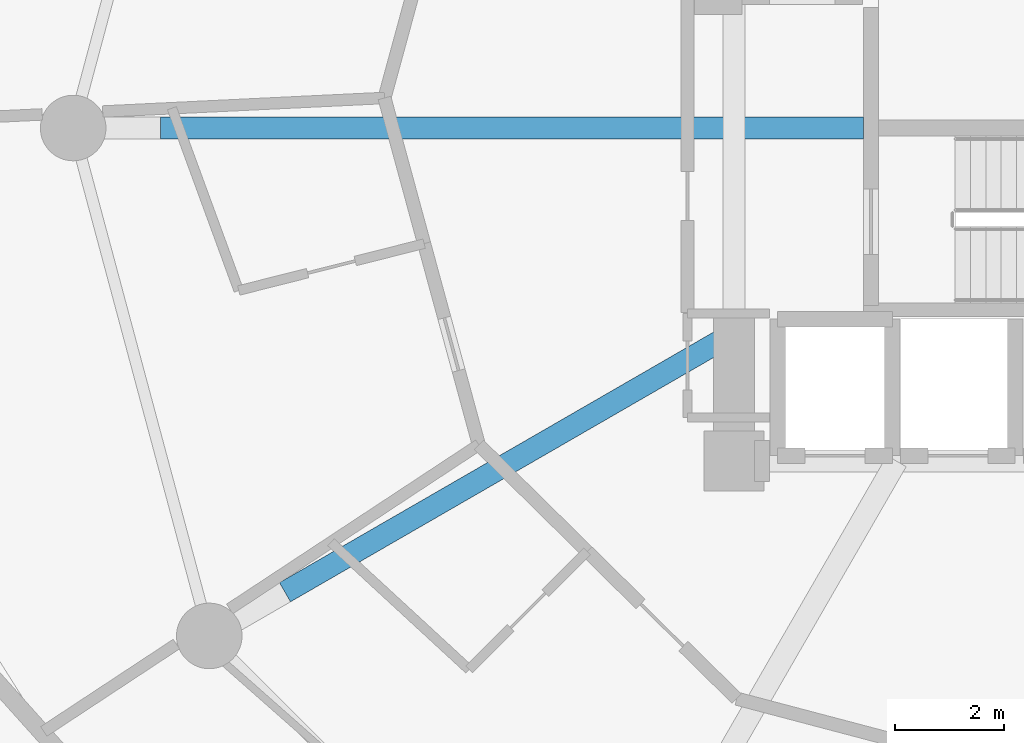
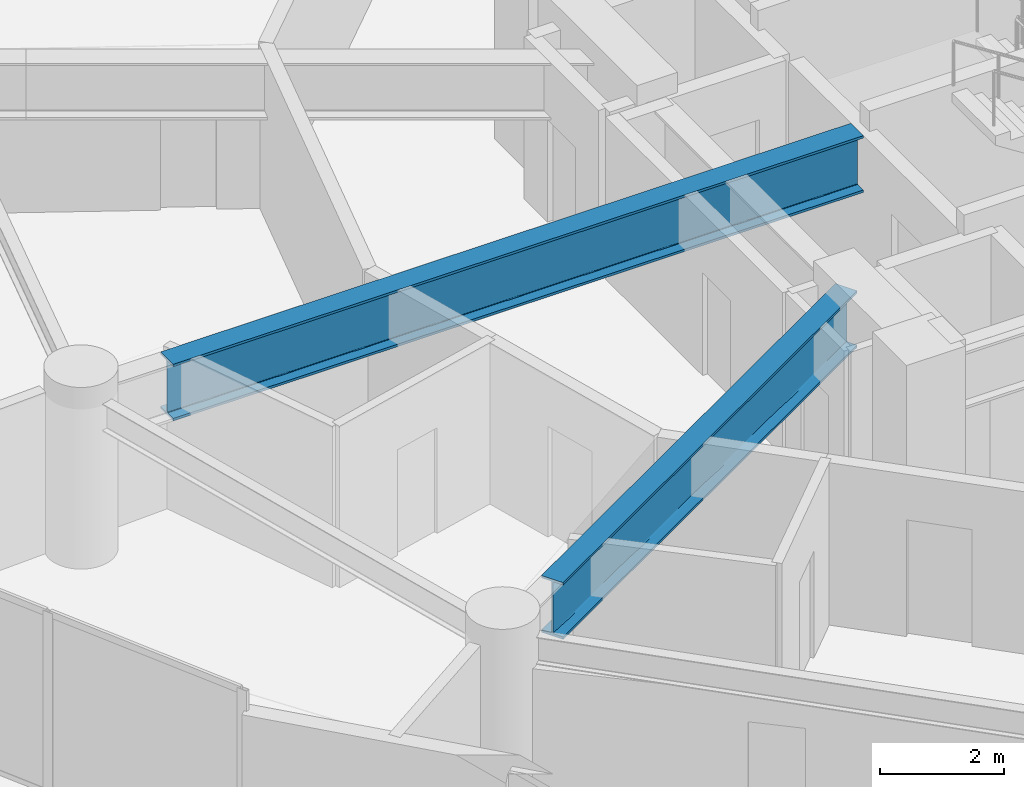
# One storey, part 5 of 24: 2 beams.
"""IFC4 building model written with IfcOpenShell, lengths in metres."""

from ifc_helpers import new_model, si_unit, direction, frame, origin, origin_2d, place, context, subcontext, project, spatial, i_section, extrude, material, material_profile, profile_set, type_object, element, save


model = new_model("IFC4")

# Units and contexts
model_context = context("Model", 3, precision=1e-05, world=origin(), true_north=direction((0.0, 1.0)))
body_context = subcontext(model_context, "Body", "Model", "MODEL_VIEW")
ifc_project = project(units=[si_unit("LENGTHUNIT", "METRE"), si_unit("AREAUNIT", "SQUARE_METRE"), si_unit("VOLUMEUNIT", "CUBIC_METRE"), si_unit("PLANEANGLEUNIT", "RADIAN"), si_unit("MASSUNIT", "GRAM", prefix="KILO")], contexts=[model_context])

# Site, building, storey
site_placement = place(None, origin())
site = spatial("IfcSite", under=ifc_project, at=site_placement, CompositionType="ELEMENT")
building_placement = place(site_placement, origin())
building = spatial("IfcBuilding", under=site, at=building_placement, Name="Solvirekh Grand Hotel", CompositionType="ELEMENT")
storey_placement = place(building_placement, frame((0.0, 0.0, 89.60009765625)))
storey = spatial("IfcBuildingStorey", under=building, at=storey_placement, Name="L22", CompositionType="ELEMENT", Elevation=89.60009765625)

# Beams
ifc_material = material(Name="Steel S460", Category="steel")
ifc_material_profile = material_profile(ifc_material, i_section(OverallWidth=0.405029296875, OverallDepth=1.117919921875, WebThickness=0.02587890625, FlangeThickness=0.048095703125, FilletRadius=0.02392578125, at=origin_2d()), Name="W1100X499")
ifc_profile_set = profile_set([ifc_material_profile], Name="Steel S460")
beam_type = type_object("IfcBeamType", Name="TransferGirder_W1100", PredefinedType="USERDEFINED", material=ifc_profile_set)
beam_1_placement = place(storey_placement, frame((-4.1298828125, 0.0, 2.640869140625), z_axis=(-1.0, 0.0, 0.0), x_axis=(0.0, -1.0, 0.0)))
element("IfcBeam", 1, at=beam_1_placement, inside=storey, type_object=beam_type, Name="L22 inner radial transfer girder 7A", ObjectType="TRANSFER GIRDER", PredefinedType="USERDEFINED", context=body_context, shape_type="SweptSolid", body=[
    extrude(i_section(OverallWidth=0.405029296875, OverallDepth=1.117919921875, WebThickness=0.02587890625, FlangeThickness=0.048095703125, FilletRadius=0.02392578125, at=origin_2d()), origin(), (0.0, 0.0, 1.0), 12.8701171875),
])
beam_2_placement = place(storey_placement, frame((-6.5, -3.75390625, 2.640869140625), z_axis=(-0.866063541164, -0.499933938303, 0.0), x_axis=(0.499933938303, -0.866063541164, 0.0)))
element("IfcBeam", 2, at=beam_2_placement, inside=storey, type_object=beam_type, Name="L22 inner radial transfer girder 8A", ObjectType="TRANSFER GIRDER", PredefinedType="USERDEFINED", context=body_context, shape_type="SweptSolid", body=[
    extrude(i_section(OverallWidth=0.405029296875, OverallDepth=1.117919921875, WebThickness=0.02587890625, FlangeThickness=0.048095703125, FilletRadius=0.02392578125, at=origin_2d()), origin(), (0.0, 0.0, 1.0), 9.493408203125),
])

save(model, "model.ifc")
